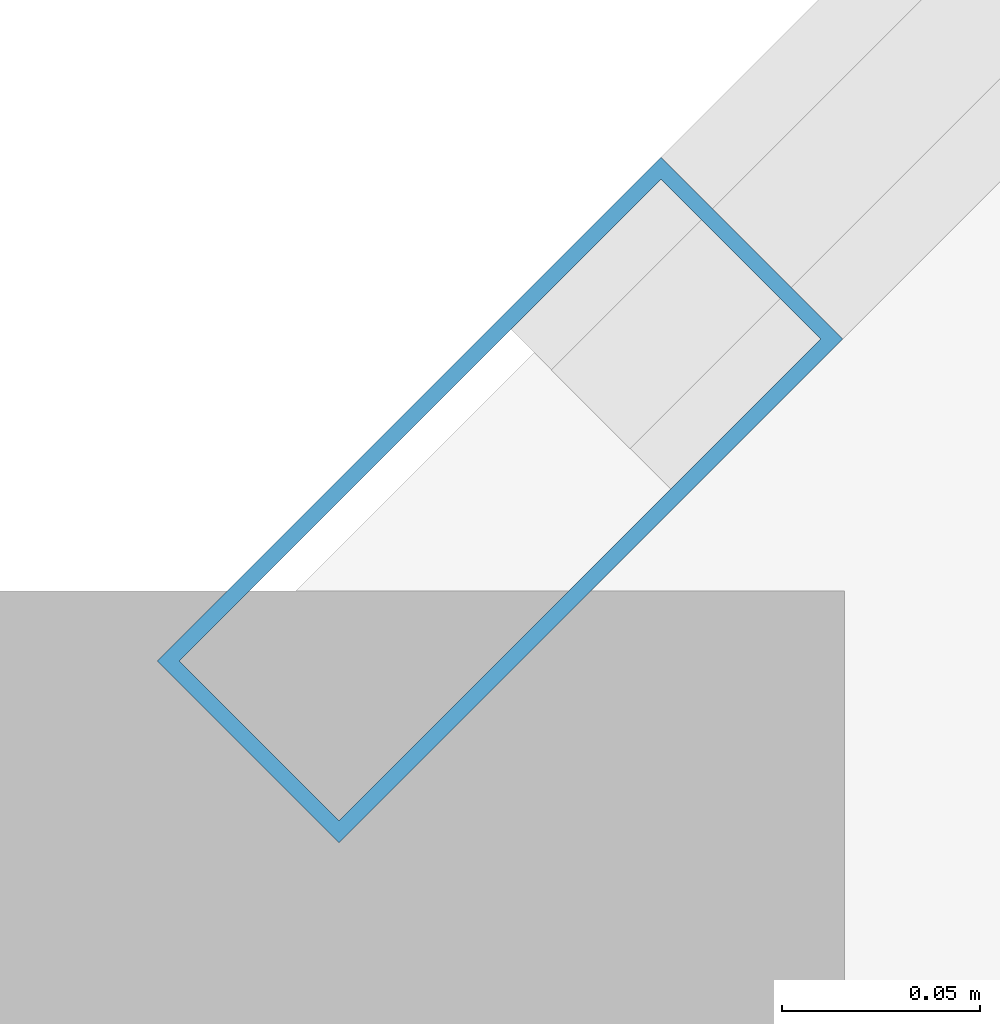
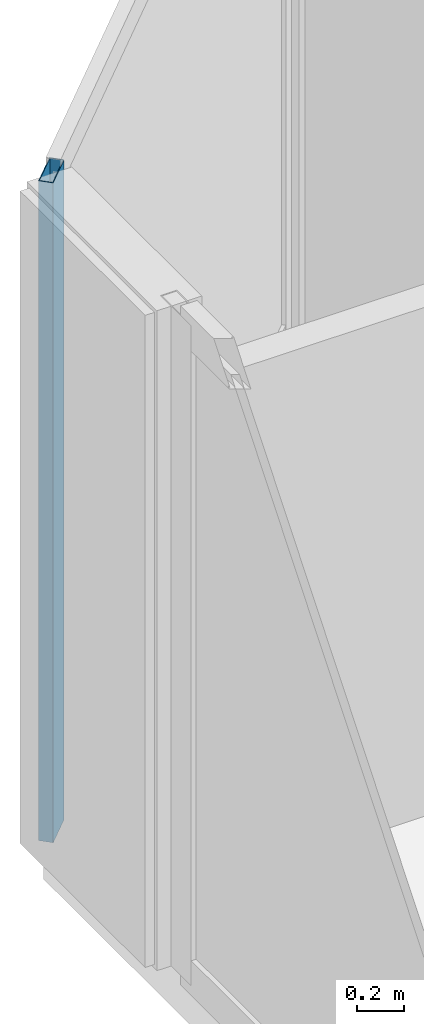
# One storey, part 5 of 28: 1 member, 1 element without a shape of its own.
"""IFC4 building model written with IfcOpenShell, lengths in metres."""

from ifc_helpers import new_model, si_unit, direction, frame, origin, origin_2d, place, context, subcontext, project, spatial, hollow_rectangle, extrude, material, layer, layer_set, material_profile, profile_set, type_object, element, aggregate, save


model = new_model("IFC4")

# Units and contexts
model_context = context("Model", 3, precision=1e-05, world=origin(), true_north=direction((0.0, 1.0)))
body_context = subcontext(model_context, "Body", "Model", "MODEL_VIEW")
ifc_project = project(units=[si_unit("LENGTHUNIT", "METRE"), si_unit("AREAUNIT", "SQUARE_METRE"), si_unit("VOLUMEUNIT", "CUBIC_METRE"), si_unit("PLANEANGLEUNIT", "RADIAN"), si_unit("MASSUNIT", "GRAM", prefix="KILO")], contexts=[model_context])

# Site, building, storey
site_placement = place(None, origin())
site = spatial("IfcSite", under=ifc_project, at=site_placement, CompositionType="ELEMENT")
building_placement = place(site_placement, origin())
building = spatial("IfcBuilding", under=site, at=building_placement, Name="Tanjung Sevakor Pilgrim Tower", CompositionType="ELEMENT")
storey_placement = place(building_placement, frame((0.0, 0.0, 246.179931640625)))
storey = spatial("IfcBuildingStorey", under=building, at=storey_placement, Name="L69", CompositionType="ELEMENT", Elevation=246.179931640625)

# Curtain wall, member
ifc_material_1 = material(Name="Aluminium 6063-T6 and Low-E Glass", Category="aluminium")
ifc_layer = layer(ifc_material_1, 0.179931640625)
ifc_layer_set = layer_set([ifc_layer], Name="CW-SYS-CHAM")
curtain_wall_type = type_object("IfcCurtainWallType", Name="CW-SYS-CHAM", PredefinedType="NOTDEFINED", material=ifc_layer_set)
curtain_wall_placement = place(storey_placement, origin())
curtain_wall = element("IfcCurtainWall", 1, at=curtain_wall_placement, inside=storey, type_object=curtain_wall_type, Name="L69 Curtain Wall CW-CHM-L69-WEST-5", PredefinedType="NOTDEFINED")
ifc_material_2 = material(Name="Aluminium 6063-T6", Category="aluminium")
ifc_material_profile = material_profile(ifc_material_2, hollow_rectangle(XDim=0.06494140625, YDim=0.179931640625, WallThickness=0.00390625, at=origin_2d()))
ifc_profile_set = profile_set([ifc_material_profile], Name="Aluminium 6063-T6")
member_type = type_object("IfcMemberType", Name="TYPE-CWM-1", PredefinedType="MULLION", material=ifc_profile_set)
member_placement = place(storey_placement, frame((22.133056640625, 43.577392578125, 0.0), z_axis=(0.0, 0.0, 1.0), x_axis=(0.707106781187, -0.707106781187, 0.0)))
member = element("IfcMember", 2, at=member_placement, type_object=member_type, Name="CW-CHM mullion 2", PredefinedType="MULLION", context=body_context, shape_type="SweptSolid", body=[
    extrude(hollow_rectangle(XDim=0.06494140625, YDim=0.179931640625, WallThickness=0.00390625, at=origin_2d()), origin(), (0.0, 0.0, 1.0), 3.41015625),
])
aggregate(curtain_wall, [member])

save(model, "model.ifc")
